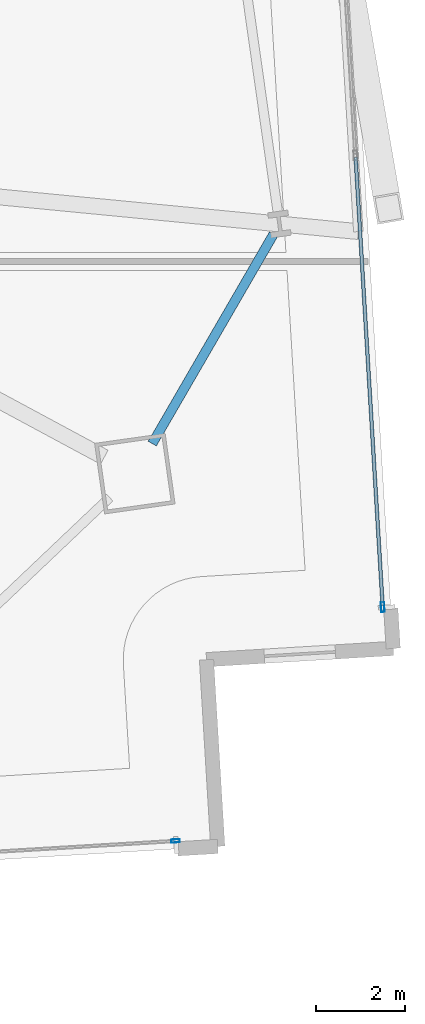
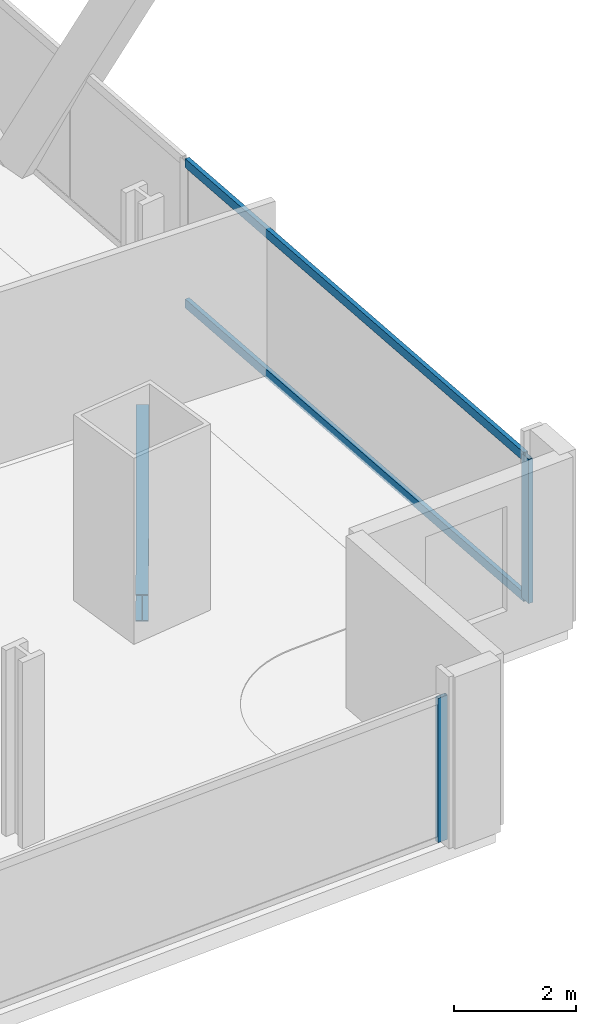
# One storey, part 11 of 34: 4 members, 1 beam, 2 elements without a shape of their own.
"""IFC4 building model written with IfcOpenShell, lengths in metres."""

from ifc_helpers import new_model, si_unit, direction, frame, origin, origin_2d, place, context, subcontext, project, spatial, hollow_rectangle, i_section, extrude, material, material_profile, profile_set, type_object, element, aggregate, save


model = new_model("IFC4")

# Units and contexts
model_context = context("Model", 3, precision=1e-05, world=origin(), true_north=direction((0.0, 1.0)))
body_context = subcontext(model_context, "Body", "Model", "MODEL_VIEW")
ifc_project = project(units=[si_unit("LENGTHUNIT", "METRE"), si_unit("AREAUNIT", "SQUARE_METRE"), si_unit("VOLUMEUNIT", "CUBIC_METRE"), si_unit("PLANEANGLEUNIT", "RADIAN"), si_unit("MASSUNIT", "GRAM", prefix="KILO")], contexts=[model_context])

# Site, building, storey
site_placement = place(None, origin())
site = spatial("IfcSite", under=ifc_project, at=site_placement, CompositionType="ELEMENT")
building_placement = place(site_placement, origin())
building = spatial("IfcBuilding", under=site, at=building_placement, Name="Haldenkirk Collegiate Tower", CompositionType="ELEMENT")
storey_placement = place(building_placement, frame((0.0, 0.0, 40.199951171875)))
storey = spatial("IfcBuildingStorey", under=building, at=storey_placement, Name="L08", CompositionType="ELEMENT", Elevation=40.199951171875)

# Beam
ifc_material_1 = material(Name="Steel ASTM A992 Grade 50", Category="steel")
ifc_material_profile_1 = material_profile(ifc_material_1, i_section(OverallWidth=0.2119140625, OverallDepth=0.5439453125, WebThickness=0.01318359375, FlangeThickness=0.021240234375, at=origin_2d()), Name="W21X83")
ifc_profile_set_1 = profile_set([ifc_material_profile_1], Name="Steel ASTM A992 Grade 50")
beam_type = type_object("IfcBeamType", Name="BM-SPANDREL-W21X83", PredefinedType="SPANDREL", material=ifc_profile_set_1)
beam_placement = place(storey_placement, frame((58.7919921875, 11.462158203125, -0.58203125), z_axis=(0.50120629055, 0.865327830543, 0.0), x_axis=(-0.865327830543, 0.50120629055, 0.0)))
element("IfcBeam", 1, at=beam_placement, inside=storey, type_object=beam_type, Name="L08 perimeter spandrel beam 05", PredefinedType="SPANDREL", context=body_context, shape_type="SweptSolid", body=[
    extrude(i_section(OverallWidth=0.2119140625, OverallDepth=0.5439453125, WebThickness=0.01318359375, FlangeThickness=0.021240234375, at=origin_2d()), origin(), (0.0, 0.0, 1.0), 5.43359375),
])

# Curtain wall, member
ifc_material_2 = material(Name="Anodised architectural bronze aluminium", Category="aluminium")
curtain_wall_type_1 = type_object("IfcCurtainWallType", Name="CW-SYS2-CONCAVE", PredefinedType="USERDEFINED", material=ifc_material_2)
curtain_wall_1_placement = place(storey_placement, origin())
curtain_wall_1 = element("IfcCurtainWall", 2, at=curtain_wall_1_placement, inside=storey, type_object=curtain_wall_type_1, Name="L08 South concave recessed bronze-anodised curtain wall", ObjectType="UNITISED CURTAIN WALL", PredefinedType="USERDEFINED")
ifc_material_profile_2 = material_profile(ifc_material_2, hollow_rectangle(XDim=0.074951171875, YDim=0.18994140625, WallThickness=0.0048828125, at=origin_2d()), Name="CW-MUL-02")
ifc_profile_set_2 = profile_set([ifc_material_profile_2], Name="Anodised architectural bronze aluminium")
member_type_1 = type_object("IfcMemberType", Name="CW-MUL-02", PredefinedType="MULLION", material=ifc_profile_set_2)
member_1_placement = place(storey_placement, frame((59.31640625, 2.54052734375, 0.0), z_axis=(0.0, 0.0, 1.0), x_axis=(0.060175971067, -0.99818778419, 0.0)))
member_1 = element("IfcMember", 3, at=member_1_placement, type_object=member_type_1, Name="CW-02 mullion 1", PredefinedType="MULLION", context=body_context, shape_type="SweptSolid", body=[
    extrude(hollow_rectangle(XDim=0.074951171875, YDim=0.18994140625, WallThickness=0.0048828125, at=origin_2d()), origin(), (0.0, 0.0, 1.0), 2.89111328125),
])
aggregate(curtain_wall_1, [member_1])

# Curtain wall, members
curtain_wall_type_2 = type_object("IfcCurtainWallType", Name="CW-SYS1-CONVEX-LOW", PredefinedType="USERDEFINED", material=ifc_material_2)
curtain_wall_2_placement = place(storey_placement, origin())
curtain_wall_2 = element("IfcCurtainWall", 4, at=curtain_wall_2_placement, inside=storey, type_object=curtain_wall_type_2, Name="L08 Lower tower convex bronze-framed unitised curtain wall", ObjectType="UNITISED CURTAIN WALL", PredefinedType="USERDEFINED")
ifc_material_profile_3 = material_profile(ifc_material_2, hollow_rectangle(XDim=0.080078125, YDim=0.219970703125, WallThickness=0.0048828125, at=origin_2d()), Name="CW-MUL-1A")
ifc_profile_set_3 = profile_set([ifc_material_profile_3], Name="Anodised architectural bronze aluminium")
member_type_2 = type_object("IfcMemberType", Name="CW-MUL-1A", PredefinedType="MULLION", material=ifc_profile_set_3)
member_2_placement = place(storey_placement, frame((63.966552734375, 7.7900390625, 0.0), z_axis=(0.0, 0.0, 1.0), x_axis=(0.998187748718, 0.060176559466, 0.0)))
member_2 = element("IfcMember", 5, at=member_2_placement, type_object=member_type_2, Name="CW-1A mullion 5", PredefinedType="MULLION", context=body_context, shape_type="SweptSolid", body=[
    extrude(hollow_rectangle(XDim=0.080078125, YDim=0.219970703125, WallThickness=0.0048828125, at=origin_2d()), origin(), (0.0, 0.0, 1.0), 2.89111328125),
])
ifc_material_profile_4 = material_profile(ifc_material_2, hollow_rectangle(XDim=0.080078125, YDim=0.179931640625, WallThickness=0.0048828125, at=origin_2d()), Name="CW-TRN-1A")
ifc_profile_set_4 = profile_set([ifc_material_profile_4], Name="Anodised architectural bronze aluminium")
member_type_3 = type_object("IfcMemberType", Name="CW-TRN-1A", PredefinedType="USERDEFINED", material=ifc_profile_set_4)
member_3_placement = place(storey_placement, frame((63.357421875, 17.8916015625, 0.0400390625), z_axis=(0.060187197287, -0.998187107352, 0.0), x_axis=(0.998187107352, 0.060187197287, 0.0)))
member_3 = element("IfcMember", 6, at=member_3_placement, type_object=member_type_3, Name="CW-1A transom 4.1", ObjectType="TRANSOM", PredefinedType="USERDEFINED", context=body_context, shape_type="SweptSolid", body=[
    extrude(hollow_rectangle(XDim=0.080078125, YDim=0.179931640625, WallThickness=0.0048828125, at=origin_2d()), origin(), (0.0, 0.0, 1.0), 10.080078125),
])
member_4_placement = place(storey_placement, frame((63.357421875, 17.8916015625, 2.85107421875), z_axis=(0.060187197287, -0.998187107352, 0.0), x_axis=(0.998187107352, 0.060187197287, 0.0)))
member_4 = element("IfcMember", 7, at=member_4_placement, type_object=member_type_3, Name="CW-1A transom 4.2", ObjectType="TRANSOM", PredefinedType="USERDEFINED", context=body_context, shape_type="SweptSolid", body=[
    extrude(hollow_rectangle(XDim=0.080078125, YDim=0.179931640625, WallThickness=0.0048828125, at=origin_2d()), origin(), (0.0, 0.0, 1.0), 10.080078125),
])
aggregate(curtain_wall_2, [member_2, member_3, member_4])

save(model, "model.ifc")
